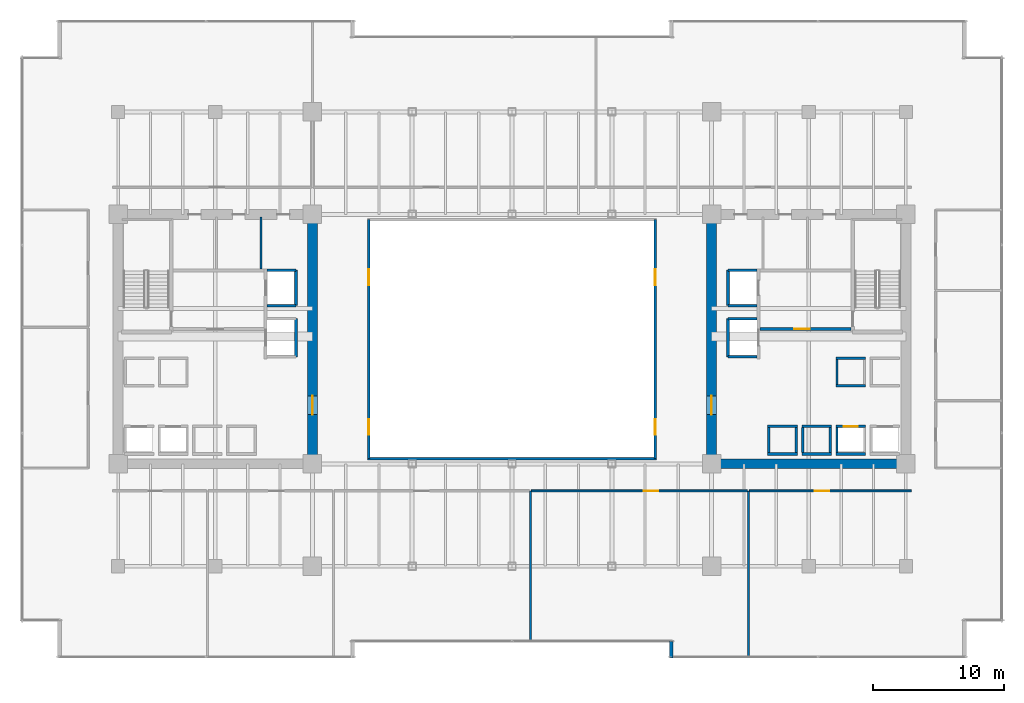
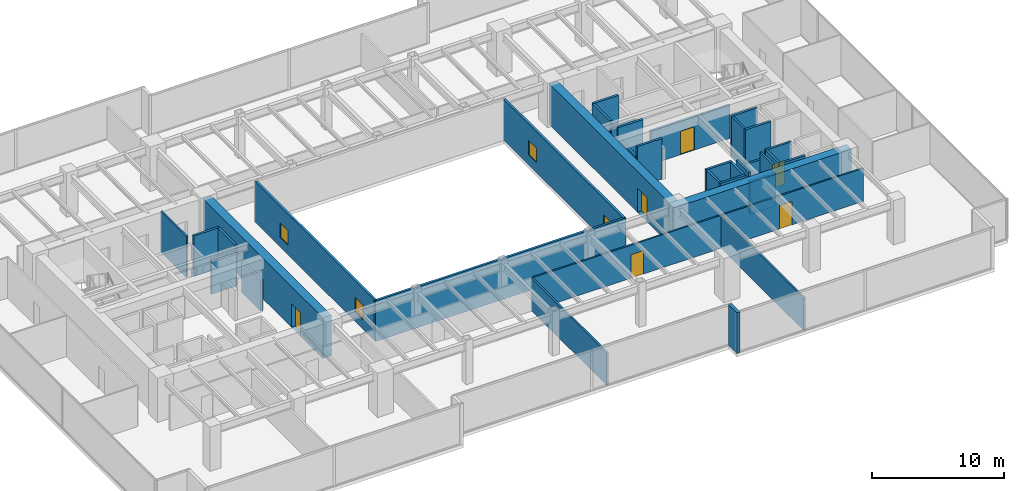
# One storey, part 30 of 35: 37 walls, 6 doors, 4 windows, 10 openings.
"""IFC4 building model written with IfcOpenShell, lengths in metres."""

from ifc_helpers import new_model, si_unit, direction, frame, frame_2d, origin, place, context, subcontext, project, spatial, rectangle, extrude, source, transform, mapped, material, layer, layer_set, type_object, type_shapes, element, fill, save


model = new_model("IFC4")

# Units and contexts
model_context = context("Model", 3, precision=1e-05, world=origin(), true_north=direction((0.0, 1.0)))
body_context = subcontext(model_context, "Body", "Model", "MODEL_VIEW")
ifc_project = project(units=[si_unit("LENGTHUNIT", "METRE"), si_unit("AREAUNIT", "SQUARE_METRE"), si_unit("VOLUMEUNIT", "CUBIC_METRE"), si_unit("PLANEANGLEUNIT", "RADIAN"), si_unit("MASSUNIT", "GRAM", prefix="KILO")], contexts=[model_context])

# Site, building, storey
site_placement = place(None, origin())
site = spatial("IfcSite", under=ifc_project, at=site_placement, CompositionType="ELEMENT")
building_placement = place(site_placement, origin())
building = spatial("IfcBuilding", under=site, at=building_placement, Name="Haelvirn Gate Laboratories", CompositionType="ELEMENT")
storey_placement = place(building_placement, frame((0.0, 0.0, 45.699951171875)))
storey = spatial("IfcBuildingStorey", under=building, at=storey_placement, Name="L11", CompositionType="ELEMENT", Elevation=45.699951171875)

# Walls
ifc_material_1 = material(Name="Thermally-broken bronze aluminium rainscreen & mineral wool", Category="aluminium")
ifc_layer_1 = layer(ifc_material_1, 0.280029296875, Name="EW-TERR-280")
ifc_layer_set_1 = layer_set([ifc_layer_1], Name="Thermally-broken bronze aluminium rainscreen & mineral wool")
wall_type_1 = type_object("IfcWallType", Name="EW-TERR-280", PredefinedType="STANDARD", material=ifc_layer_set_1)
wall_1_placement = place(storey_placement, frame((49.5400390625, 1.2880859375, 0.0), z_axis=(0.0, 0.0, 1.0), x_axis=(0.0, -1.0, 0.0)))
element("IfcWall", 1, at=wall_1_placement, inside=storey, type_object=wall_type_1, Name="L11 Atrium Recess Bronze Return Wall 03", PredefinedType="STANDARD", context=body_context, shape_type="SweptSolid", body=[
    extrude(rectangle(XDim=1.2880859375, YDim=0.280029296875, at=frame_2d((0.64404296875, 0.0))), origin(), (0.0, 0.0, 1.0), 3.780029296875),
])
ifc_material_2 = material(Name="Double-layer acoustic gypsum laboratory partition", Category="gypsum")
ifc_layer_2 = layer(ifc_material_2, 0.159912109375, Name="IW-ACOUST-160")
ifc_layer_set_2 = layer_set([ifc_layer_2], Name="Double-layer acoustic gypsum laboratory partition")
wall_type_2 = type_object("IfcWallType", Name="IW-ACOUST-160", PredefinedType="PARTITIONING", material=ifc_layer_set_2)
wall_2_placement = place(storey_placement, frame((38.800048828125, 1.31005859375, 0.0), z_axis=(0.0, 0.0, 1.0), x_axis=(0.0, 1.0, 0.0)))
element("IfcWall", 2, at=wall_2_placement, inside=storey, type_object=wall_type_2, Name="L11 Interior Wall IW-L11-SDIV-03", PredefinedType="PARTITIONING", context=body_context, shape_type="SweptSolid", body=[
    extrude(rectangle(XDim=11.429931640625, YDim=0.159912109375, at=frame_2d((5.71484375, 0.0))), origin(), (0.0, 0.0, 1.0), 3.01513671875),
])
wall_3_placement = place(storey_placement, frame((55.39990234375, 0.110107421875, 0.0), z_axis=(0.0, 0.0, 1.0), x_axis=(0.0, 1.0, 0.0)))
element("IfcWall", 3, at=wall_3_placement, inside=storey, type_object=wall_type_2, Name="L11 Interior Wall IW-L11-SDIV-04", PredefinedType="PARTITIONING", context=body_context, shape_type="SweptSolid", body=[
    extrude(rectangle(XDim=12.6298828125, YDim=0.159912109375, at=frame_2d((6.31494140625, 0.0))), origin(), (0.0, 0.0, 1.0), 3.01513671875),
])

# Wall, openings, windows
ifc_material_3 = material(Name="Tempered fire-rated borosilicate glass & anodised aluminium", Category="aluminium")
ifc_layer_3 = layer(ifc_material_3, 0.195068359375, Name="IW-GLAZ-200")
ifc_layer_set_3 = layer_set([ifc_layer_3], Name="Tempered fire-rated borosilicate glass & anodised aluminium")
wall_type_3 = type_object("IfcWallType", Name="IW-GLAZ-200", PredefinedType="SOLIDWALL", material=ifc_layer_set_3)
wall_4_placement = place(storey_placement, frame((26.5, 15.199951171875, 0.0), z_axis=(0.0, 0.0, 1.0), x_axis=(0.0, 1.0, 0.0)))
wall_4 = element("IfcWall", 4, at=wall_4_placement, inside=storey, type_object=wall_type_3, Name="L11 Interior Wall IW-L11-ATRIUM-W", PredefinedType="SOLIDWALL", context=body_context, shape_type="SweptSolid", body=[
    extrude(rectangle(XDim=18.199951171875, YDim=0.195068359375, at=frame_2d((9.10009765625, 0.0))), origin(), (0.0, 0.0, 1.0), 3.780029296875),
])
opening_1_placement = place(wall_4_placement, frame((1.800048828125, 0.0, 0.89990234375)))
opening_1 = element("IfcOpeningElement", 5, at=opening_1_placement, cuts=wall_4, Name="Opening W6", PredefinedType="OPENING", context=body_context, shape_type="SweptSolid", body=[
    extrude(rectangle(XDim=1.199951171875, YDim=1.35009765625, at=frame_2d((0.60009765625, 0.675048828125))), frame((0.0, 0.107421875, 0.0), z_axis=(0.0, -1.0, 0.0), x_axis=(1.0, 0.0, 0.0)), (0.0, 0.0, 1.0), 0.215087890625),
])
opening_2_placement = place(wall_4_placement, frame((13.199951171875, 0.0, 0.89990234375)))
opening_2 = element("IfcOpeningElement", 6, at=opening_2_placement, cuts=wall_4, Name="Opening W6", PredefinedType="OPENING", context=body_context, shape_type="SweptSolid", body=[
    extrude(rectangle(XDim=1.199951171875, YDim=1.35009765625, at=frame_2d((0.60009765625, 0.675048828125))), frame((0.0, 0.107421875, 0.0), z_axis=(0.0, -1.0, 0.0), x_axis=(1.0, 0.0, 0.0)), (0.0, 0.0, 1.0), 0.215087890625),
])
ifc_material_4 = material(Name="Fire-rated EI 120 borosilicate atrium vision glazing", Category="glass")
window_type = type_object("IfcWindowType", Name="WN-ATR-1200", PartitioningType="SINGLE_PANEL", PredefinedType="WINDOW", material=ifc_material_4)
shared_shape_1 = source(origin(), body_context, "Body", "SweptSolid", [
    extrude(rectangle(XDim=1.199951171875, YDim=1.35009765625, at=frame_2d((0.60009765625, 0.675048828125))), frame((0.0, 0.030029296875, 0.0), z_axis=(0.0, -1.0, 0.0), x_axis=(1.0, 0.0, 0.0)), (0.0, 0.0, 1.0), 0.06005859375),
])
type_shapes(window_type, [shared_shape_1])
window_1_placement = place(opening_1_placement, origin())
window_1 = element("IfcWindow", 7, at=window_1_placement, inside=storey, type_object=window_type, Name="L11 Atrium Observation Window 1", OverallHeight=1.35009765625, OverallWidth=1.199951171875, PartitioningType="SINGLE_PANEL", PredefinedType="WINDOW", context=body_context, shape_type="MappedRepresentation", body=[
    mapped(shared_shape_1, transform((0.0, 0.0, 0.0), scale=1.0)),
])
fill(opening_1, window_1)
window_2_placement = place(opening_2_placement, origin())
window_2 = element("IfcWindow", 8, at=window_2_placement, inside=storey, type_object=window_type, Name="L11 Atrium Observation Window 2", OverallHeight=1.35009765625, OverallWidth=1.199951171875, PartitioningType="SINGLE_PANEL", PredefinedType="WINDOW", context=body_context, shape_type="MappedRepresentation", body=[
    mapped(shared_shape_1, transform((0.0, 0.0, 0.0), scale=1.0)),
])
fill(opening_2, window_2)

wall_5_placement = place(storey_placement, frame((48.300048828125, 15.199951171875, 0.0), z_axis=(0.0, 0.0, 1.0), x_axis=(0.0, 1.0, 0.0)))
wall_5 = element("IfcWall", 9, at=wall_5_placement, inside=storey, type_object=wall_type_3, Name="L11 Interior Wall IW-L11-ATRIUM-E", PredefinedType="SOLIDWALL", context=body_context, shape_type="SweptSolid", body=[
    extrude(rectangle(XDim=18.199951171875, YDim=0.195068359375, at=frame_2d((9.10009765625, 0.0))), origin(), (0.0, 0.0, 1.0), 3.780029296875),
])
opening_3_placement = place(wall_5_placement, frame((1.800048828125, 0.0, 0.89990234375)))
opening_3 = element("IfcOpeningElement", 10, at=opening_3_placement, cuts=wall_5, Name="Opening W6", PredefinedType="OPENING", context=body_context, shape_type="SweptSolid", body=[
    extrude(rectangle(XDim=1.199951171875, YDim=1.35009765625, at=frame_2d((0.60009765625, 0.675048828125))), frame((0.0, 0.107421875, 0.0), z_axis=(0.0, -1.0, 0.0), x_axis=(1.0, 0.0, 0.0)), (0.0, 0.0, 1.0), 0.215087890625),
])
opening_4_placement = place(wall_5_placement, frame((13.199951171875, 0.0, 0.89990234375)))
opening_4 = element("IfcOpeningElement", 11, at=opening_4_placement, cuts=wall_5, Name="Opening W6", PredefinedType="OPENING", context=body_context, shape_type="SweptSolid", body=[
    extrude(rectangle(XDim=1.199951171875, YDim=1.35009765625, at=frame_2d((0.60009765625, 0.675048828125))), frame((0.0, 0.107421875, 0.0), z_axis=(0.0, -1.0, 0.0), x_axis=(1.0, 0.0, 0.0)), (0.0, 0.0, 1.0), 0.215087890625),
])
window_3_placement = place(opening_3_placement, origin())
window_3 = element("IfcWindow", 12, at=window_3_placement, inside=storey, type_object=window_type, Name="L11 Atrium Observation Window 1", OverallHeight=1.35009765625, OverallWidth=1.199951171875, PartitioningType="SINGLE_PANEL", PredefinedType="WINDOW", context=body_context, shape_type="MappedRepresentation", body=[
    mapped(shared_shape_1, transform((0.0, 0.0, 0.0), scale=1.0)),
])
fill(opening_3, window_3)
window_4_placement = place(opening_4_placement, origin())
window_4 = element("IfcWindow", 13, at=window_4_placement, inside=storey, type_object=window_type, Name="L11 Atrium Observation Window 2", OverallHeight=1.35009765625, OverallWidth=1.199951171875, PartitioningType="SINGLE_PANEL", PredefinedType="WINDOW", context=body_context, shape_type="MappedRepresentation", body=[
    mapped(shared_shape_1, transform((0.0, 0.0, 0.0), scale=1.0)),
])
fill(opening_4, window_4)

# Wall
wall_6_placement = place(storey_placement, frame((26.39990234375, 15.199951171875, 0.0), z_axis=(0.0, 0.0, 1.0), x_axis=(1.0, 0.0, 0.0)))
element("IfcWall", 14, at=wall_6_placement, inside=storey, type_object=wall_type_3, Name="L11 Interior Wall IW-L11-ATRIUM-S", PredefinedType="SOLIDWALL", context=body_context, shape_type="SweptSolid", body=[
    extrude(rectangle(XDim=22.0, YDim=0.195068359375, at=frame_2d((11.0, 0.0))), origin(), (0.0, 0.0, 1.0), 3.780029296875),
])

# Wall, opening, door
ifc_material_5 = material(Name="Acoustic mineral-wool gypsum board partition", Category="gypsum")
ifc_layer_4 = layer(ifc_material_5, 0.139892578125, Name="IW-PART-140")
ifc_layer_set_4 = layer_set([ifc_layer_4], Name="Acoustic mineral-wool gypsum board partition")
wall_type_4 = type_object("IfcWallType", Name="IW-PART-140", PredefinedType="PARTITIONING", material=ifc_layer_set_4)
wall_7_placement = place(storey_placement, frame((38.8798828125, 12.739990234375, 0.0), z_axis=(0.0, 0.0, 1.0), x_axis=(1.0, 0.0, 0.0)))
wall_7 = element("IfcWall", 15, at=wall_7_placement, inside=storey, type_object=wall_type_4, Name="L11 Interior Wall IW-L11-SCORR-04", PredefinedType="PARTITIONING", context=body_context, shape_type="SweptSolid", body=[
    extrude(rectangle(XDim=16.440185546875, YDim=0.139892578125, at=frame_2d((8.22021484375, 0.0))), origin(), (0.0, 0.0, 1.0), 3.06494140625),
])
opening_5_placement = place(wall_7_placement, frame((8.54833984375, 0.0, 0.0)))
opening_5 = element("IfcOpeningElement", 16, at=opening_5_placement, cuts=wall_7, Name="Opening D1", PredefinedType="OPENING", context=body_context, shape_type="SweptSolid", body=[
    extrude(rectangle(XDim=1.10009765625, YDim=2.179931640625, at=frame_2d((0.550048828125, 1.08984375))), frame((0.0, 0.080078125, 0.0), z_axis=(0.0, -1.0, 0.0), x_axis=(1.0, 0.0, 0.0)), (0.0, 0.0, 1.0), 0.159912109375),
])
ifc_material_6 = material(Name="Vision-panel acoustic solid-core timber lab door", Category="wood")
door_type_1 = type_object("IfcDoorType", Name="DR-LAB-1100", OperationType="NOTDEFINED", PredefinedType="DOOR", material=ifc_material_6)
shared_shape_2 = source(origin(), body_context, "Body", "SweptSolid", [
    extrude(rectangle(XDim=1.10009765625, YDim=2.179931640625, at=frame_2d((0.550048828125, 1.08984375))), frame((0.0, 0.02490234375, 0.0), z_axis=(0.0, -1.0, 0.0), x_axis=(1.0, 0.0, 0.0)), (0.0, 0.0, 1.0), 0.050048828125),
])
type_shapes(door_type_1, [shared_shape_2])
door_1_placement = place(opening_5_placement, origin())
door_1 = element("IfcDoor", 17, at=door_1_placement, inside=storey, type_object=door_type_1, Name="L11 Translational Data Office Door S4", OperationType="SINGLE_SWING_LEFT", OverallHeight=2.179931640625, OverallWidth=1.10009765625, PredefinedType="DOOR", context=body_context, shape_type="MappedRepresentation", body=[
    mapped(shared_shape_2, transform((0.0, 0.0, 0.0), scale=1.0)),
])
fill(opening_5, door_1)

wall_8_placement = place(storey_placement, frame((55.47998046875, 12.739990234375, 0.0), z_axis=(0.0, 0.0, 1.0), x_axis=(1.0, 0.0, 0.0)))
wall_8 = element("IfcWall", 18, at=wall_8_placement, inside=storey, type_object=wall_type_4, Name="L11 Interior Wall IW-L11-SCORR-05", PredefinedType="PARTITIONING", context=body_context, shape_type="SweptSolid", body=[
    extrude(rectangle(XDim=12.340087890625, YDim=0.139892578125, at=frame_2d((6.169921875, 0.0))), origin(), (0.0, 0.0, 1.0), 3.06494140625),
])
opening_6_placement = place(wall_8_placement, frame((4.987548828125, 0.0, 0.0)))
opening_6 = element("IfcOpeningElement", 19, at=opening_6_placement, cuts=wall_8, Name="Opening D1", PredefinedType="OPENING", context=body_context, shape_type="SweptSolid", body=[
    extrude(rectangle(XDim=1.10009765625, YDim=2.179931640625, at=frame_2d((0.550048828125, 1.08984375))), frame((0.0, 0.080078125, 0.0), z_axis=(0.0, -1.0, 0.0), x_axis=(1.0, 0.0, 0.0)), (0.0, 0.0, 1.0), 0.159912109375),
])
door_2_placement = place(opening_6_placement, origin())
door_2 = element("IfcDoor", 20, at=door_2_placement, inside=storey, type_object=door_type_1, Name="L11 Researcher Quiet Study Door S5", OperationType="SINGLE_SWING_RIGHT", OverallHeight=2.179931640625, OverallWidth=1.10009765625, PredefinedType="DOOR", context=body_context, shape_type="MappedRepresentation", body=[
    mapped(shared_shape_2, transform((0.0, 0.0, 0.0), scale=1.0)),
])
fill(opening_6, door_2)

# Walls
ifc_material_7 = material(Name="Cement-board restroom plumbing chase wall", Category="gypsum")
ifc_layer_5 = layer(ifc_material_7, 0.155029296875, Name="IW-PLUMB-160")
ifc_layer_set_5 = layer_set([ifc_layer_5], Name="Cement-board restroom plumbing chase wall")
wall_type_5 = type_object("IfcWallType", Name="IW-PLUMB-160", PredefinedType="PLUMBINGWALL", material=ifc_layer_set_5)
wall_9_placement = place(storey_placement, frame((18.2900390625, 29.64990234375, 0.0), z_axis=(0.0, 0.0, 1.0), x_axis=(0.0, 1.0, 0.0)))
element("IfcWall", 21, at=wall_9_placement, inside=storey, type_object=wall_type_5, Name="L11 Interior Wall IW-L11-W-CDIV-2", PredefinedType="PLUMBINGWALL", context=body_context, shape_type="SweptSolid", body=[
    extrude(rectangle(XDim=3.93017578125, YDim=0.155029296875, at=frame_2d((1.965087890625, 0.0))), origin(), (0.0, 0.0, 1.0), 3.780029296875),
])
ifc_material_8 = material(Name="Concrete C40/50", Category="concrete")
ifc_layer_6 = layer(ifc_material_8, 0.179931640625, Name="IW-SHAFT-180")
ifc_layer_set_6 = layer_set([ifc_layer_6], Name="Concrete C40/50")
wall_type_6 = type_object("IfcWallType", Name="IW-SHAFT-180", PredefinedType="SOLIDWALL", material=ifc_layer_set_6)
for number, where, z_axis, x_axis, name in (
    (22, (62.14990234375, 15.64990234375, 0.0), (0.0, 0.0, 1.0), (0.0, 1.0, 0.0), "L11 Interior Wall IW-L11-PL4-SD"),
    (23, (59.550048828125, 15.64990234375, 0.0), (0.0, 0.0, 1.0), (0.0, 1.0, 0.0), "L11 Interior Wall IW-L11-PL7-SD"),
    (24, (61.64990234375, 15.64990234375, 0.0), (0.0, 0.0, 1.0), (0.0, 1.0, 0.0), "L11 Interior Wall IW-L11-PL7-SDE"),
    (25, (56.949951171875, 15.64990234375, 0.0), (0.0, 0.0, 1.0), (0.0, 1.0, 0.0), "L11 Interior Wall IW-L11-PL8-SD"),
    (26, (59.050048828125, 15.64990234375, 0.0), (0.0, 0.0, 1.0), (0.0, 1.0, 0.0), "L11 Interior Wall IW-L11-PL8-SDE"),
):
    element("IfcWall", number, at=place(storey_placement, frame(where, z_axis=z_axis, x_axis=x_axis)), inside=storey, type_object=wall_type_6, Name=name, PredefinedType="SOLIDWALL", context=body_context, shape_type="SweptSolid", body=[
        extrude(rectangle(XDim=1.900146484375, YDim=0.179931640625, at=frame_2d((0.9501953125, 0.0))), origin(), (0.0, 0.0, 1.0), 3.780029296875),
    ])
wall_10_placement = place(storey_placement, frame((62.14990234375, 20.85009765625, 0.0), z_axis=(0.0, 0.0, 1.0), x_axis=(0.0, 1.0, 0.0)))
element("IfcWall", 27, at=wall_10_placement, inside=storey, type_object=wall_type_6, Name="L11 Interior Wall IW-L11-PL12-SD", PredefinedType="SOLIDWALL", context=body_context, shape_type="SweptSolid", body=[
    extrude(rectangle(XDim=1.89990234375, YDim=0.179931640625, at=frame_2d((0.949951171875, 0.0))), origin(), (0.0, 0.0, 1.0), 3.780029296875),
])
ifc_layer_7 = layer(ifc_material_8, 0.199951171875, Name="IW-SHAFT-200")
ifc_layer_set_7 = layer_set([ifc_layer_7], Name="Concrete C40/50")
wall_type_7 = type_object("IfcWallType", Name="IW-SHAFT-200", PredefinedType="SOLIDWALL", material=ifc_layer_set_7)
wall_11_placement = place(storey_placement, frame((20.949951171875, 26.85009765625, 0.0), z_axis=(0.0, 0.0, 1.0), x_axis=(0.0, 1.0, 0.0)))
element("IfcWall", 28, at=wall_11_placement, inside=storey, type_object=wall_type_7, Name="L11 Interior Wall IW-L11-FL1-BK", PredefinedType="SOLIDWALL", context=body_context, shape_type="SweptSolid", body=[
    extrude(rectangle(XDim=2.699951171875, YDim=0.199951171875, at=frame_2d((1.35009765625, 0.0))), origin(), (0.0, 0.0, 1.0), 3.780029296875),
])
wall_12_placement = place(storey_placement, frame((18.760009765625, 29.550048828125, 0.0), z_axis=(0.0, 0.0, 1.0), x_axis=(1.0, 0.0, 0.0)))
element("IfcWall", 29, at=wall_12_placement, inside=storey, type_object=wall_type_7, Name="L11 Interior Wall IW-L11-FL1-N", PredefinedType="SOLIDWALL", context=body_context, shape_type="SweptSolid", body=[
    extrude(rectangle(XDim=2.18994140625, YDim=0.199951171875, at=frame_2d((1.094970703125, 0.0))), origin(), (0.0, 0.0, 1.0), 3.780029296875),
])
wall_13_placement = place(storey_placement, frame((18.760009765625, 26.85009765625, 0.0), z_axis=(0.0, 0.0, 1.0), x_axis=(1.0, 0.0, 0.0)))
element("IfcWall", 30, at=wall_13_placement, inside=storey, type_object=wall_type_7, Name="L11 Interior Wall IW-L11-FL1-S", PredefinedType="SOLIDWALL", context=body_context, shape_type="SweptSolid", body=[
    extrude(rectangle(XDim=2.18994140625, YDim=0.199951171875, at=frame_2d((1.094970703125, 0.0))), origin(), (0.0, 0.0, 1.0), 3.177001953125),
])
wall_14_placement = place(storey_placement, frame((20.949951171875, 22.949951171875, 0.0), z_axis=(0.0, 0.0, 1.0), x_axis=(0.0, 1.0, 0.0)))
element("IfcWall", 31, at=wall_14_placement, inside=storey, type_object=wall_type_7, Name="L11 Interior Wall IW-L11-SL1-BK", PredefinedType="SOLIDWALL", context=body_context, shape_type="SweptSolid", body=[
    extrude(rectangle(XDim=2.900146484375, YDim=0.199951171875, at=frame_2d((1.4501953125, 0.0))), origin(), (0.0, 0.0, 1.0), 2.864990234375),
])

# Wall, opening, door
wall_15_placement = place(storey_placement, frame((62.070068359375, 17.64990234375, 0.0), z_axis=(0.0, 0.0, 1.0), x_axis=(1.0, 0.0, 0.0)))
wall_15 = element("IfcWall", 32, at=wall_15_placement, inside=storey, type_object=wall_type_7, Name="L11 Interior Wall IW-L11-PL4-FR", PredefinedType="SOLIDWALL", context=body_context, shape_type="SweptSolid", body=[
    extrude(rectangle(XDim=2.260009765625, YDim=0.199951171875, at=frame_2d((1.1298828125, 0.0))), origin(), (0.0, 0.0, 1.0), 3.780029296875),
])
opening_7_placement = place(wall_15_placement, frame((0.580078125, 0.0, 0.0)))
opening_7 = element("IfcOpeningElement", 33, at=opening_7_placement, cuts=wall_15, Name="Opening LD2", PredefinedType="OPENING", context=body_context, shape_type="SweptSolid", body=[
    extrude(rectangle(XDim=1.10009765625, YDim=2.219970703125, at=frame_2d((0.550048828125, 1.10986328125))), frame((0.0, 0.10986328125, 0.0), z_axis=(0.0, -1.0, 0.0), x_axis=(1.0, 0.0, 0.0)), (0.0, 0.0, 1.0), 0.219970703125),
])
ifc_material_9 = material(Name="Bronze stainless 316L sliding lift landing door")
door_type_2 = type_object("IfcDoorType", Name="DR-LD-1100", OperationType="NOTDEFINED", PredefinedType="USERDEFINED", material=ifc_material_9)
shared_shape_3 = source(origin(), body_context, "Body", "SweptSolid", [
    extrude(rectangle(XDim=1.10009765625, YDim=2.219970703125, at=frame_2d((0.550048828125, 1.10986328125))), frame((0.0, 0.02490234375, 0.0), z_axis=(0.0, -1.0, 0.0), x_axis=(1.0, 0.0, 0.0)), (0.0, 0.0, 1.0), 0.050048828125),
])
type_shapes(door_type_2, [shared_shape_3])
door_3_placement = place(opening_7_placement, origin())
door_3 = element("IfcDoor", 34, at=door_3_placement, inside=storey, type_object=door_type_2, Name="L11 Passenger Lift PL4 Landing Door", ObjectType="LANDING_DOOR", OperationType="SLIDING_TO_RIGHT", OverallHeight=2.219970703125, OverallWidth=1.10009765625, PredefinedType="USERDEFINED", context=body_context, shape_type="MappedRepresentation", body=[
    mapped(shared_shape_3, transform((0.0, 0.0, 0.0), scale=1.0)),
])
fill(opening_7, door_3)

# Walls
wall_16_placement = place(storey_placement, frame((62.070068359375, 15.550048828125, 0.0), z_axis=(0.0, 0.0, 1.0), x_axis=(1.0, 0.0, 0.0)))
element("IfcWall", 35, at=wall_16_placement, inside=storey, type_object=wall_type_7, Name="L11 Interior Wall IW-L11-PL4-BK", PredefinedType="SOLIDWALL", context=body_context, shape_type="SweptSolid", body=[
    extrude(rectangle(XDim=2.260009765625, YDim=0.199951171875, at=frame_2d((1.1298828125, 0.0))), origin(), (0.0, 0.0, 1.0), 3.780029296875),
])
for number, where, z_axis, x_axis, name in (
    (36, (59.469970703125, 17.64990234375, 0.0), (0.0, 0.0, 1.0), (1.0, 0.0, 0.0), "L11 Interior Wall IW-L11-PL7-FR"),
    (37, (59.469970703125, 15.550048828125, 0.0), (0.0, 0.0, 1.0), (1.0, 0.0, 0.0), "L11 Interior Wall IW-L11-PL7-BK"),
):
    element("IfcWall", number, at=place(storey_placement, frame(where, z_axis=z_axis, x_axis=x_axis)), inside=storey, type_object=wall_type_7, Name=name, PredefinedType="SOLIDWALL", context=body_context, shape_type="SweptSolid", body=[
        extrude(rectangle(XDim=2.260009765625, YDim=0.199951171875, at=frame_2d((1.1298828125, 0.0))), origin(), (0.0, 0.0, 1.0), 3.06494140625),
    ])
for number, where, z_axis, x_axis, name in (
    (38, (56.8701171875, 17.64990234375, 0.0), (0.0, 0.0, 1.0), (1.0, 0.0, 0.0), "L11 Interior Wall IW-L11-PL8-FR"),
    (39, (56.8701171875, 15.550048828125, 0.0), (0.0, 0.0, 1.0), (1.0, 0.0, 0.0), "L11 Interior Wall IW-L11-PL8-BK"),
):
    element("IfcWall", number, at=place(storey_placement, frame(where, z_axis=z_axis, x_axis=x_axis)), inside=storey, type_object=wall_type_7, Name=name, PredefinedType="SOLIDWALL", context=body_context, shape_type="SweptSolid", body=[
        extrude(rectangle(XDim=2.259765625, YDim=0.199951171875, at=frame_2d((1.1298828125, 0.0))), origin(), (0.0, 0.0, 1.0), 3.780029296875),
    ])
for number, where, z_axis, x_axis, name in (
    (40, (62.070068359375, 20.75, 0.0), (0.0, 0.0, 1.0), (1.0, 0.0, 0.0), "L11 Interior Wall IW-L11-PL12-FR"),
    (41, (62.070068359375, 22.85009765625, 0.0), (0.0, 0.0, 1.0), (1.0, 0.0, 0.0), "L11 Interior Wall IW-L11-PL12-BK"),
):
    element("IfcWall", number, at=place(storey_placement, frame(where, z_axis=z_axis, x_axis=x_axis)), inside=storey, type_object=wall_type_7, Name=name, PredefinedType="SOLIDWALL", context=body_context, shape_type="SweptSolid", body=[
        extrude(rectangle(XDim=2.260009765625, YDim=0.199951171875, at=frame_2d((1.1298828125, 0.0))), origin(), (0.0, 0.0, 1.0), 3.780029296875),
    ])
wall_17_placement = place(storey_placement, frame((53.85009765625, 26.85009765625, 0.0), z_axis=(0.0, 0.0, 1.0), x_axis=(0.0, 1.0, 0.0)))
element("IfcWall", 42, at=wall_17_placement, inside=storey, type_object=wall_type_7, Name="L11 Interior Wall IW-L11-FL2-BK", PredefinedType="SOLIDWALL", context=body_context, shape_type="SweptSolid", body=[
    extrude(rectangle(XDim=2.699951171875, YDim=0.199951171875, at=frame_2d((1.35009765625, 0.0))), origin(), (0.0, 0.0, 1.0), 3.780029296875),
])
wall_18_placement = place(storey_placement, frame((53.85009765625, 29.550048828125, 0.0), z_axis=(0.0, 0.0, 1.0), x_axis=(1.0, 0.0, 0.0)))
element("IfcWall", 43, at=wall_18_placement, inside=storey, type_object=wall_type_7, Name="L11 Interior Wall IW-L11-FL2-N", PredefinedType="SOLIDWALL", context=body_context, shape_type="SweptSolid", body=[
    extrude(rectangle(XDim=2.18994140625, YDim=0.199951171875, at=frame_2d((1.094970703125, 0.0))), origin(), (0.0, 0.0, 1.0), 3.780029296875),
])
wall_19_placement = place(storey_placement, frame((53.85009765625, 26.85009765625, 0.0), z_axis=(0.0, 0.0, 1.0), x_axis=(1.0, 0.0, 0.0)))
element("IfcWall", 44, at=wall_19_placement, inside=storey, type_object=wall_type_7, Name="L11 Interior Wall IW-L11-FL2-S", PredefinedType="SOLIDWALL", context=body_context, shape_type="SweptSolid", body=[
    extrude(rectangle(XDim=2.18994140625, YDim=0.199951171875, at=frame_2d((1.094970703125, 0.0))), origin(), (0.0, 0.0, 1.0), 3.177001953125),
])
wall_20_placement = place(storey_placement, frame((53.85009765625, 22.949951171875, 0.0), z_axis=(0.0, 0.0, 1.0), x_axis=(0.0, 1.0, 0.0)))
element("IfcWall", 45, at=wall_20_placement, inside=storey, type_object=wall_type_7, Name="L11 Interior Wall IW-L11-SL2-BK", PredefinedType="SOLIDWALL", context=body_context, shape_type="SweptSolid", body=[
    extrude(rectangle(XDim=2.900146484375, YDim=0.199951171875, at=frame_2d((1.4501953125, 0.0))), origin(), (0.0, 0.0, 1.0), 2.864990234375),
])
for number, where, z_axis, x_axis, name in (
    (46, (53.85009765625, 25.85009765625, 0.0), (0.0, 0.0, 1.0), (1.0, 0.0, 0.0), "L11 Interior Wall IW-L11-SL2-N"),
    (47, (53.85009765625, 22.949951171875, 0.0), (0.0, 0.0, 1.0), (1.0, 0.0, 0.0), "L11 Interior Wall IW-L11-SL2-S"),
):
    element("IfcWall", number, at=place(storey_placement, frame(where, z_axis=z_axis, x_axis=x_axis)), inside=storey, type_object=wall_type_7, Name=name, PredefinedType="SOLIDWALL", context=body_context, shape_type="SweptSolid", body=[
        extrude(rectangle(XDim=2.18994140625, YDim=0.199951171875, at=frame_2d((1.094970703125, 0.0))), origin(), (0.0, 0.0, 1.0), 3.780029296875),
    ])

# Wall, opening, door
ifc_layer_8 = layer(ifc_material_8, 0.239990234375, Name="IW-SHAFT-240")
ifc_layer_set_8 = layer_set([ifc_layer_8], Name="Concrete C40/50")
wall_type_8 = type_object("IfcWallType", Name="IW-SHAFT-240", PredefinedType="SOLIDWALL", material=ifc_layer_set_8)
wall_21_placement = place(storey_placement, frame((56.280029296875, 25.080078125, 0.0), z_axis=(0.0, 0.0, 1.0), x_axis=(1.0, 0.0, 0.0)))
wall_21 = element("IfcWall", 48, at=wall_21_placement, inside=storey, type_object=wall_type_8, Name="L11 Interior Wall IW-L11-E-FF-S", PredefinedType="SOLIDWALL", context=body_context, shape_type="SweptSolid", body=[
    extrude(rectangle(XDim=6.919921875, YDim=0.239990234375, at=frame_2d((3.4599609375, 0.0))), origin(), (0.0, 0.0, 1.0), 3.06494140625),
])
opening_8_placement = place(wall_21_placement, frame((2.60009765625, 0.0, 0.0)))
opening_8 = element("IfcOpeningElement", 49, at=opening_8_placement, cuts=wall_21, Name="Opening FD2", PredefinedType="OPENING", context=body_context, shape_type="SweptSolid", body=[
    extrude(rectangle(XDim=1.199951171875, YDim=2.159912109375, at=frame_2d((0.60009765625, 1.080078125))), frame((0.0, 0.1298828125, 0.0), z_axis=(0.0, -1.0, 0.0), x_axis=(1.0, 0.0, 0.0)), (0.0, 0.0, 1.0), 0.260009765625),
])
ifc_material_10 = material(Name="Fire-rated steel SM355 compartment door", Category="steel")
door_type_3 = type_object("IfcDoorType", Name="DR-FD-1200", OperationType="NOTDEFINED", PredefinedType="DOOR", material=ifc_material_10)
shared_shape_4 = source(origin(), body_context, "Body", "SweptSolid", [
    extrude(rectangle(XDim=1.199951171875, YDim=2.159912109375, at=frame_2d((0.60009765625, 1.080078125))), frame((0.0, 0.02490234375, 0.0), z_axis=(0.0, -1.0, 0.0), x_axis=(1.0, 0.0, 0.0)), (0.0, 0.0, 1.0), 0.050048828125),
])
type_shapes(door_type_3, [shared_shape_4])
door_4_placement = place(opening_8_placement, origin())
door_4 = element("IfcDoor", 50, at=door_4_placement, inside=storey, type_object=door_type_3, Name="L11 East Firefighting Lobby Door", OperationType="SINGLE_SWING_LEFT", OverallHeight=2.159912109375, OverallWidth=1.199951171875, PredefinedType="DOOR", context=body_context, shape_type="MappedRepresentation", body=[
    mapped(shared_shape_4, transform((0.0, 0.0, 0.0), scale=1.0)),
])
fill(opening_8, door_4)

ifc_material_11 = material(Name="Concrete C70/85", Category="concrete")
ifc_layer_9 = layer(ifc_material_11, 0.75, Name="SW-CORE-750")
ifc_layer_set_9 = layer_set([ifc_layer_9], Name="Concrete C70/85")
wall_type_9 = type_object("IfcWallType", Name="SW-CORE-750", PredefinedType="SHEAR", material=ifc_layer_set_9)
wall_22_placement = place(storey_placement, frame((22.199951171875, 15.175048828125, 0.0), z_axis=(0.0, 0.0, 1.0), x_axis=(0.0, 1.0, 0.0)))
wall_22 = element("IfcWall", 51, at=wall_22_placement, inside=storey, type_object=wall_type_9, Name="L11 W Core Shear Wall E", PredefinedType="SHEAR", context=body_context, shape_type="SweptSolid", body=[
    extrude(rectangle(XDim=18.25, YDim=0.75, at=frame_2d((9.125, 0.0))), origin(), (0.0, 0.0, 1.0), 3.780029296875),
])
opening_9_placement = place(wall_22_placement, frame((3.375, 0.0, 0.0)))
opening_9 = element("IfcOpeningElement", 52, at=opening_9_placement, cuts=wall_22, Name="Opening FD1", PredefinedType="OPENING", context=body_context, shape_type="SweptSolid", body=[
    extrude(rectangle(XDim=1.419921875, YDim=2.199951171875, at=frame_2d((0.7099609375, 1.10009765625))), frame((0.0, 0.385009765625, 0.0), z_axis=(0.0, -1.0, 0.0), x_axis=(1.0, 0.0, 0.0)), (0.0, 0.0, 1.0), 0.77001953125),
])
ifc_material_12 = material(Name="Fire-rated double steel SM355 lobby door", Category="steel")
door_type_4 = type_object("IfcDoorType", Name="DR-FD-1400", OperationType="NOTDEFINED", PredefinedType="DOOR", material=ifc_material_12)
shared_shape_5 = source(origin(), body_context, "Body", "SweptSolid", [
    extrude(rectangle(XDim=1.419921875, YDim=2.199951171875, at=frame_2d((0.7099609375, 1.10009765625))), frame((0.0, 0.02490234375, 0.0), z_axis=(0.0, -1.0, 0.0), x_axis=(1.0, 0.0, 0.0)), (0.0, 0.0, 1.0), 0.050048828125),
])
type_shapes(door_type_4, [shared_shape_5])
door_5_placement = place(opening_9_placement, origin())
door_5 = element("IfcDoor", 53, at=door_5_placement, inside=storey, type_object=door_type_4, Name="L11 West Core Lift Lobby Fire Door", OperationType="DOUBLE_DOOR_SINGLE_SWING", OverallHeight=2.199951171875, OverallWidth=1.419921875, PredefinedType="DOOR", context=body_context, shape_type="MappedRepresentation", body=[
    mapped(shared_shape_5, transform((0.0, 0.0, 0.0), scale=1.0)),
])
fill(opening_9, door_5)

# Wall
wall_23_placement = place(storey_placement, frame((52.22509765625, 14.800048828125, 0.0), z_axis=(0.0, 0.0, 1.0), x_axis=(1.0, 0.0, 0.0)))
element("IfcWall", 54, at=wall_23_placement, inside=storey, type_object=wall_type_9, Name="L11 E Core Shear Wall S", PredefinedType="SHEAR", context=body_context, shape_type="SweptSolid", body=[
    extrude(rectangle(XDim=15.5498046875, YDim=0.75, at=frame_2d((7.77490234375, 0.0))), origin(), (0.0, 0.0, 1.0), 3.780029296875),
])

# Wall, opening, door
wall_24_placement = place(storey_placement, frame((52.60009765625, 15.175048828125, 0.0), z_axis=(0.0, 0.0, 1.0), x_axis=(0.0, 1.0, 0.0)))
wall_24 = element("IfcWall", 55, at=wall_24_placement, inside=storey, type_object=wall_type_9, Name="L11 E Core Shear Wall W", PredefinedType="SHEAR", context=body_context, shape_type="SweptSolid", body=[
    extrude(rectangle(XDim=18.25, YDim=0.75, at=frame_2d((9.125, 0.0))), origin(), (0.0, 0.0, 1.0), 3.780029296875),
])
opening_10_placement = place(wall_24_placement, frame((3.375, 0.0, 0.0)))
opening_10 = element("IfcOpeningElement", 56, at=opening_10_placement, cuts=wall_24, Name="Opening FD1", PredefinedType="OPENING", context=body_context, shape_type="SweptSolid", body=[
    extrude(rectangle(XDim=1.419921875, YDim=2.199951171875, at=frame_2d((0.7099609375, 1.10009765625))), frame((0.0, 0.385009765625, 0.0), z_axis=(0.0, -1.0, 0.0), x_axis=(1.0, 0.0, 0.0)), (0.0, 0.0, 1.0), 0.77001953125),
])
door_6_placement = place(opening_10_placement, origin())
door_6 = element("IfcDoor", 57, at=door_6_placement, inside=storey, type_object=door_type_4, Name="L11 East Core Lift Lobby Fire Door", OperationType="DOUBLE_DOOR_SINGLE_SWING", OverallHeight=2.199951171875, OverallWidth=1.419921875, PredefinedType="DOOR", context=body_context, shape_type="MappedRepresentation", body=[
    mapped(shared_shape_5, transform((0.0, 0.0, 0.0), scale=1.0)),
])
fill(opening_10, door_6)

save(model, "model.ifc")
